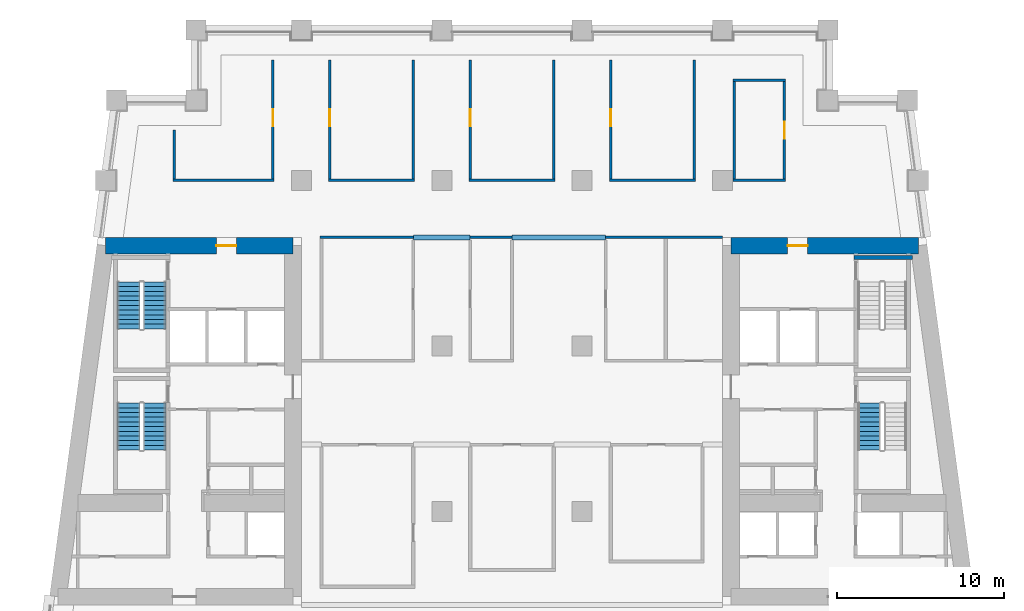
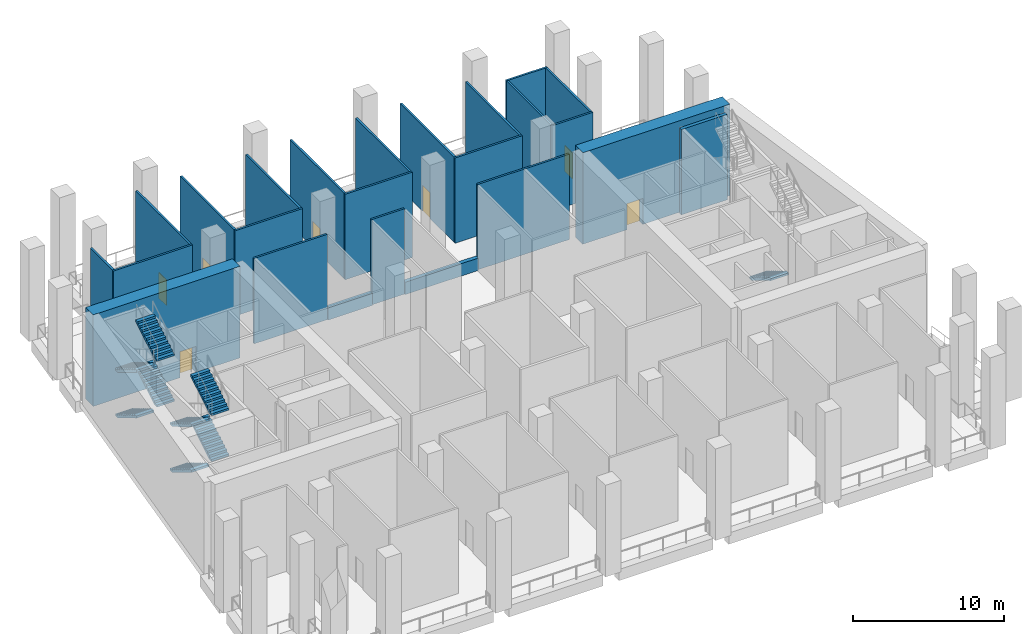
# One storey, part 5 of 10: 24 walls, 9 stair flights, 7 doors, 7 openings, 3 elements without a shape of their own.
"""IFC4 building model written with IfcOpenShell, lengths in metres."""

from ifc_helpers import new_model, si_unit, direction, frame, frame_2d, origin, place, context, subcontext, project, spatial, polyline, rectangle, outline, extrude, material, layer, layer_set, type_object, element, fill, aggregate, save


model = new_model("IFC4")

# Units and contexts
model_context = context("Model", 3, precision=1e-05, world=origin(), true_north=direction((0.0, 1.0)))
body_context = subcontext(model_context, "Body", "Model", "MODEL_VIEW")
ifc_project = project(units=[si_unit("LENGTHUNIT", "METRE"), si_unit("AREAUNIT", "SQUARE_METRE"), si_unit("VOLUMEUNIT", "CUBIC_METRE"), si_unit("PLANEANGLEUNIT", "RADIAN"), si_unit("MASSUNIT", "GRAM", prefix="KILO")], contexts=[model_context])

# Site, building, storey
site_placement = place(None, origin())
site = spatial("IfcSite", under=ifc_project, at=site_placement, CompositionType="ELEMENT")
building_placement = place(site_placement, origin())
building = spatial("IfcBuilding", under=site, at=building_placement, Name="Candeia Pilgrim Tower and Theatre", CompositionType="ELEMENT")
storey_placement = place(building_placement, frame((0.0, 0.0, 135.39990234375)))
storey = spatial("IfcBuildingStorey", under=building, at=storey_placement, Name="L32", CompositionType="ELEMENT", Elevation=135.39990234375)

# Wall, opening, door
ifc_material_1 = material(Name="Concrete C70/85", Category="concrete")
ifc_layer_1 = layer(ifc_material_1, 1.0)
ifc_layer_set_1 = layer_set([ifc_layer_1], Name="Core wall 1000 C70/85")
wall_type_1 = type_object("IfcWallType", Name="Core wall 1000 C70/85", PredefinedType="SHEAR", material=ifc_layer_set_1)
wall_1_placement = place(storey_placement, frame((89.06787109375, 131.89990234375, 0.0), z_axis=(0.0, 0.0, 1.0), x_axis=(1.0, 0.0, 0.0)))
wall_1 = element("IfcWall", 1, at=wall_1_placement, inside=storey, type_object=wall_type_1, Name="Core wall W1", PredefinedType="SHEAR", context=body_context, shape_type="SweptSolid", body=[
    extrude(rectangle(XDim=11.232177734375, YDim=1.0, at=frame_2d((5.6162109375, 0.0))), origin(), (0.0, 0.0, 1.0), 7.400146484375),
])
opening_1_placement = place(wall_1_placement, frame((6.6455078125, 0.0, 0.0)))
opening_1 = element("IfcOpeningElement", 2, at=opening_1_placement, cuts=wall_1, Name="Opening L32-D035", PredefinedType="OPENING", context=body_context, shape_type="SweptSolid", body=[
    extrude(rectangle(XDim=1.199951171875, YDim=2.10009765625, at=frame_2d((0.60009765625, 1.050048828125))), frame((0.0, 0.510009765625, 0.0), z_axis=(0.0, -1.0, 0.0), x_axis=(1.0, 0.0, 0.0)), (0.0, 0.0, 1.0), 1.02001953125),
])
ifc_material_2 = material(Name="Steel fire door set", Category="steel")
door_type_1 = type_object("IfcDoorType", Name="D-1200-FD60", OperationType="NOTDEFINED", PredefinedType="DOOR", material=ifc_material_2)
door_1_placement = place(opening_1_placement, origin())
door_1 = element("IfcDoor", 3, at=door_1_placement, inside=storey, type_object=door_type_1, Name="Door L32-D035", OperationType="SINGLE_SWING_LEFT", OverallHeight=2.10009765625, OverallWidth=1.199951171875, PredefinedType="DOOR", context=body_context, shape_type="SweptSolid", body=[
    extrude(rectangle(XDim=1.199951171875, YDim=2.10009765625, at=frame_2d((0.60009765625, 1.050048828125))), frame((0.0, 0.02490234375, 0.0), z_axis=(0.0, -1.0, 0.0), x_axis=(1.0, 0.0, 0.0)), (0.0, 0.0, 1.0), 0.050048828125),
])
fill(opening_1, door_1)

wall_2_placement = place(storey_placement, frame((126.5, 131.89990234375, 0.0), z_axis=(0.0, 0.0, 1.0), x_axis=(1.0, 0.0, 0.0)))
wall_2 = element("IfcWall", 4, at=wall_2_placement, inside=storey, type_object=wall_type_1, Name="Core wall E1", PredefinedType="SHEAR", context=body_context, shape_type="SweptSolid", body=[
    extrude(rectangle(XDim=11.23193359375, YDim=1.0, at=frame_2d((5.615966796875, 0.0))), origin(), (0.0, 0.0, 1.0), 7.400146484375),
])
opening_2_placement = place(wall_2_placement, frame((3.386474609375, 0.0, 0.0)))
opening_2 = element("IfcOpeningElement", 5, at=opening_2_placement, cuts=wall_2, Name="Opening L32-D038", PredefinedType="OPENING", context=body_context, shape_type="SweptSolid", body=[
    extrude(rectangle(XDim=1.199951171875, YDim=2.10009765625, at=frame_2d((0.60009765625, 1.050048828125))), frame((0.0, 0.510009765625, 0.0), z_axis=(0.0, -1.0, 0.0), x_axis=(1.0, 0.0, 0.0)), (0.0, 0.0, 1.0), 1.02001953125),
])
door_2_placement = place(opening_2_placement, origin())
door_2 = element("IfcDoor", 6, at=door_2_placement, inside=storey, type_object=door_type_1, Name="Door L32-D038", OperationType="SINGLE_SWING_RIGHT", OverallHeight=2.10009765625, OverallWidth=1.199951171875, PredefinedType="DOOR", context=body_context, shape_type="SweptSolid", body=[
    extrude(rectangle(XDim=1.199951171875, YDim=2.10009765625, at=frame_2d((0.60009765625, 1.050048828125))), frame((0.0, 0.02490234375, 0.0), z_axis=(0.0, -1.0, 0.0), x_axis=(1.0, 0.0, 0.0)), (0.0, 0.0, 1.0), 0.050048828125),
])
fill(opening_2, door_2)

# Walls
ifc_material_3 = material(Name="Concrete C30/37", Category="concrete")
ifc_layer_2 = layer(ifc_material_3, 0.300048828125)
ifc_layer_set_2 = layer_set([ifc_layer_2], Name="PL-300 planter kerb")
wall_type_2 = type_object("IfcWallType", Name="PL-300 planter kerb", PredefinedType="PARTITIONING", material=ifc_layer_set_2)
wall_3_placement = place(storey_placement, frame((107.5, 132.39990234375, 0.0), z_axis=(0.0, 0.0, 1.0), x_axis=(1.0, 0.0, 0.0)))
element("IfcWall", 7, at=wall_3_placement, inside=storey, type_object=wall_type_2, Name="Planter kerb L32-057", PredefinedType="PARTITIONING", context=body_context, shape_type="SweptSolid", body=[
    extrude(rectangle(XDim=3.39990234375, YDim=0.300048828125, at=frame_2d((1.699951171875, 0.0))), origin(), (0.0, 0.0, 1.0), 1.0),
])
wall_4_placement = place(storey_placement, frame((113.39990234375, 132.39990234375, 0.0), z_axis=(0.0, 0.0, 1.0), x_axis=(1.0, 0.0, 0.0)))
element("IfcWall", 8, at=wall_4_placement, inside=storey, type_object=wall_type_2, Name="Planter kerb L32-058", PredefinedType="PARTITIONING", context=body_context, shape_type="SweptSolid", body=[
    extrude(rectangle(XDim=5.60009765625, YDim=0.300048828125, at=frame_2d((2.800048828125, 0.0))), origin(), (0.0, 0.0, 1.0), 1.0),
])
ifc_material_4 = material(Name="Gypsum board partition on steel studs", Category="steel")
ifc_layer_3 = layer(ifc_material_4, 0.14990234375)
ifc_layer_set_3 = layer_set([ifc_layer_3], Name="PW-150 unit wall")
wall_type_3 = type_object("IfcWallType", Name="PW-150 unit wall", PredefinedType="PARTITIONING", material=ifc_layer_set_3)
wall_5_placement = place(storey_placement, frame((101.89990234375, 132.39990234375, 0.0), z_axis=(0.0, 0.0, 1.0), x_axis=(1.0, 0.0, 0.0)))
element("IfcWall", 9, at=wall_5_placement, inside=storey, type_object=wall_type_3, Name="Unit wall L32-059", PredefinedType="PARTITIONING", context=body_context, shape_type="SweptSolid", body=[
    extrude(rectangle(XDim=5.60009765625, YDim=0.14990234375, at=frame_2d((2.800048828125, 0.0))), origin(), (0.0, 0.0, 1.0), 6.900146484375),
])
wall_6_placement = place(storey_placement, frame((110.89990234375, 132.39990234375, 0.0), z_axis=(0.0, 0.0, 1.0), x_axis=(1.0, 0.0, 0.0)))
element("IfcWall", 10, at=wall_6_placement, inside=storey, type_object=wall_type_3, Name="Unit wall L32-060", PredefinedType="PARTITIONING", context=body_context, shape_type="SweptSolid", body=[
    extrude(rectangle(XDim=2.5, YDim=0.14990234375, at=frame_2d((1.25, 0.0))), origin(), (0.0, 0.0, 1.0), 6.900146484375),
])
wall_7_placement = place(storey_placement, frame((119.0, 132.39990234375, 0.0), z_axis=(0.0, 0.0, 1.0), x_axis=(1.0, 0.0, 0.0)))
element("IfcWall", 11, at=wall_7_placement, inside=storey, type_object=wall_type_3, Name="Unit wall L32-061", PredefinedType="PARTITIONING", context=body_context, shape_type="SweptSolid", body=[
    extrude(rectangle(XDim=7.0, YDim=0.14990234375, at=frame_2d((3.5, 0.0))), origin(), (0.0, 0.0, 1.0), 6.900146484375),
])
wall_8_placement = place(storey_placement, frame((93.125, 135.800048828125, 0.0), z_axis=(0.0, 0.0, 1.0), x_axis=(1.0, 0.0, 0.0)))
element("IfcWall", 12, at=wall_8_placement, inside=storey, type_object=wall_type_3, Name="Unit wall L32-062", PredefinedType="PARTITIONING", context=body_context, shape_type="SweptSolid", body=[
    extrude(rectangle(XDim=6.050048828125, YDim=0.14990234375, at=frame_2d((3.02490234375, 0.0))), origin(), (0.0, 0.0, 1.0), 6.900146484375),
])
wall_9_placement = place(storey_placement, frame((102.425048828125, 135.800048828125, 0.0), z_axis=(0.0, 0.0, 1.0), x_axis=(1.0, 0.0, 0.0)))
element("IfcWall", 13, at=wall_9_placement, inside=storey, type_object=wall_type_3, Name="Unit wall L32-063", PredefinedType="PARTITIONING", context=body_context, shape_type="SweptSolid", body=[
    extrude(rectangle(XDim=5.14990234375, YDim=0.14990234375, at=frame_2d((2.574951171875, 0.0))), origin(), (0.0, 0.0, 1.0), 6.900146484375),
])
wall_10_placement = place(storey_placement, frame((110.824951171875, 135.800048828125, 0.0), z_axis=(0.0, 0.0, 1.0), x_axis=(1.0, 0.0, 0.0)))
element("IfcWall", 14, at=wall_10_placement, inside=storey, type_object=wall_type_3, Name="Unit wall L32-064", PredefinedType="PARTITIONING", context=body_context, shape_type="SweptSolid", body=[
    extrude(rectangle(XDim=5.150146484375, YDim=0.14990234375, at=frame_2d((2.5751953125, 0.0))), origin(), (0.0, 0.0, 1.0), 6.900146484375),
])
wall_11_placement = place(storey_placement, frame((119.22509765625, 135.800048828125, 0.0), z_axis=(0.0, 0.0, 1.0), x_axis=(1.0, 0.0, 0.0)))
element("IfcWall", 15, at=wall_11_placement, inside=storey, type_object=wall_type_3, Name="Unit wall L32-065", PredefinedType="PARTITIONING", context=body_context, shape_type="SweptSolid", body=[
    extrude(rectangle(XDim=5.14990234375, YDim=0.14990234375, at=frame_2d((2.574951171875, 0.0))), origin(), (0.0, 0.0, 1.0), 6.900146484375),
])
for number, where, z_axis, x_axis, name in (
    (16, (126.625, 135.800048828125, 0.0), (0.0, 0.0, 1.0), (1.0, 0.0, 0.0), "Unit wall L32-066"),
    (17, (126.625, 141.800048828125, 0.0), (0.0, 0.0, 1.0), (1.0, 0.0, 0.0), "Unit wall L32-067"),
):
    element("IfcWall", number, at=place(storey_placement, frame(where, z_axis=z_axis, x_axis=x_axis)), inside=storey, type_object=wall_type_3, Name=name, PredefinedType="PARTITIONING", context=body_context, shape_type="SweptSolid", body=[
        extrude(rectangle(XDim=3.14990234375, YDim=0.14990234375, at=frame_2d((1.574951171875, 0.0))), origin(), (0.0, 0.0, 1.0), 6.900146484375),
    ])
wall_12_placement = place(storey_placement, frame((93.199951171875, 135.875, 0.0), z_axis=(0.0, 0.0, 1.0), x_axis=(0.0, 1.0, 0.0)))
element("IfcWall", 18, at=wall_12_placement, inside=storey, type_object=wall_type_3, Name="Unit wall L32-078", PredefinedType="PARTITIONING", context=body_context, shape_type="SweptSolid", body=[
    extrude(rectangle(XDim=2.93505859375, YDim=0.14990234375, at=frame_2d((1.467529296875, 0.0))), origin(), (0.0, 0.0, 1.0), 6.900146484375),
])

# Wall, opening, door
wall_13_placement = place(storey_placement, frame((99.10009765625, 135.875, 0.0), z_axis=(0.0, 0.0, 1.0), x_axis=(0.0, 1.0, 0.0)))
wall_13 = element("IfcWall", 19, at=wall_13_placement, inside=storey, type_object=wall_type_3, Name="Unit wall L32-087", PredefinedType="PARTITIONING", context=body_context, shape_type="SweptSolid", body=[
    extrude(rectangle(XDim=7.135009765625, YDim=0.14990234375, at=frame_2d((3.5673828125, 0.0))), origin(), (0.0, 0.0, 1.0), 6.900146484375),
])
opening_3_placement = place(wall_13_placement, frame((3.175048828125, 0.0, 0.0)))
opening_3 = element("IfcOpeningElement", 20, at=opening_3_placement, cuts=wall_13, Name="Opening L32-D015", PredefinedType="OPENING", context=body_context, shape_type="SweptSolid", body=[
    extrude(rectangle(XDim=1.0, YDim=2.10009765625, at=frame_2d((0.5, 1.050048828125))), frame((0.0, 0.0849609375, 0.0), z_axis=(0.0, -1.0, 0.0), x_axis=(1.0, 0.0, 0.0)), (0.0, 0.0, 1.0), 0.169921875),
])
ifc_material_5 = material(Name="Timber door leaf", Category="wood")
door_type_2 = type_object("IfcDoorType", Name="D-1000", OperationType="NOTDEFINED", PredefinedType="DOOR", material=ifc_material_5)
door_3_placement = place(opening_3_placement, origin())
door_3 = element("IfcDoor", 21, at=door_3_placement, inside=storey, type_object=door_type_2, Name="Door L32-D015", OperationType="SINGLE_SWING_LEFT", OverallHeight=2.10009765625, OverallWidth=1.0, PredefinedType="DOOR", context=body_context, shape_type="SweptSolid", body=[
    extrude(rectangle(XDim=1.0, YDim=2.10009765625, at=frame_2d((0.5, 1.050048828125))), frame((0.0, 0.02490234375, 0.0), z_axis=(0.0, -1.0, 0.0), x_axis=(1.0, 0.0, 0.0)), (0.0, 0.0, 1.0), 0.050048828125),
])
fill(opening_3, door_3)

wall_14_placement = place(storey_placement, frame((102.5, 135.875, 0.0), z_axis=(0.0, 0.0, 1.0), x_axis=(0.0, 1.0, 0.0)))
wall_14 = element("IfcWall", 22, at=wall_14_placement, inside=storey, type_object=wall_type_3, Name="Unit wall L32-092", PredefinedType="PARTITIONING", context=body_context, shape_type="SweptSolid", body=[
    extrude(rectangle(XDim=7.135009765625, YDim=0.14990234375, at=frame_2d((3.5673828125, 0.0))), origin(), (0.0, 0.0, 1.0), 6.900146484375),
])
opening_4_placement = place(wall_14_placement, frame((3.175048828125, 0.0, 0.0)))
opening_4 = element("IfcOpeningElement", 23, at=opening_4_placement, cuts=wall_14, Name="Opening L32-D016", PredefinedType="OPENING", context=body_context, shape_type="SweptSolid", body=[
    extrude(rectangle(XDim=1.0, YDim=2.10009765625, at=frame_2d((0.5, 1.050048828125))), frame((0.0, 0.0849609375, 0.0), z_axis=(0.0, -1.0, 0.0), x_axis=(1.0, 0.0, 0.0)), (0.0, 0.0, 1.0), 0.169921875),
])
door_4_placement = place(opening_4_placement, origin())
door_4 = element("IfcDoor", 24, at=door_4_placement, inside=storey, type_object=door_type_2, Name="Door L32-D016", OperationType="SINGLE_SWING_RIGHT", OverallHeight=2.10009765625, OverallWidth=1.0, PredefinedType="DOOR", context=body_context, shape_type="SweptSolid", body=[
    extrude(rectangle(XDim=1.0, YDim=2.10009765625, at=frame_2d((0.5, 1.050048828125))), frame((0.0, 0.02490234375, 0.0), z_axis=(0.0, -1.0, 0.0), x_axis=(1.0, 0.0, 0.0)), (0.0, 0.0, 1.0), 0.050048828125),
])
fill(opening_4, door_4)

# Wall
wall_15_placement = place(storey_placement, frame((107.5, 135.875, 0.0), z_axis=(0.0, 0.0, 1.0), x_axis=(0.0, 1.0, 0.0)))
element("IfcWall", 25, at=wall_15_placement, inside=storey, type_object=wall_type_3, Name="Unit wall L32-095", PredefinedType="PARTITIONING", context=body_context, shape_type="SweptSolid", body=[
    extrude(rectangle(XDim=7.135009765625, YDim=0.14990234375, at=frame_2d((3.5673828125, 0.0))), origin(), (0.0, 0.0, 1.0), 6.900146484375),
])

# Wall, opening, door
wall_16_placement = place(storey_placement, frame((110.89990234375, 135.875, 0.0), z_axis=(0.0, 0.0, 1.0), x_axis=(0.0, 1.0, 0.0)))
wall_16 = element("IfcWall", 26, at=wall_16_placement, inside=storey, type_object=wall_type_3, Name="Unit wall L32-100", PredefinedType="PARTITIONING", context=body_context, shape_type="SweptSolid", body=[
    extrude(rectangle(XDim=7.135009765625, YDim=0.14990234375, at=frame_2d((3.5673828125, 0.0))), origin(), (0.0, 0.0, 1.0), 6.900146484375),
])
opening_5_placement = place(wall_16_placement, frame((3.175048828125, 0.0, 0.0)))
opening_5 = element("IfcOpeningElement", 27, at=opening_5_placement, cuts=wall_16, Name="Opening L32-D017", PredefinedType="OPENING", context=body_context, shape_type="SweptSolid", body=[
    extrude(rectangle(XDim=1.0, YDim=2.10009765625, at=frame_2d((0.5, 1.050048828125))), frame((0.0, 0.0849609375, 0.0), z_axis=(0.0, -1.0, 0.0), x_axis=(1.0, 0.0, 0.0)), (0.0, 0.0, 1.0), 0.169921875),
])
door_5_placement = place(opening_5_placement, origin())
door_5 = element("IfcDoor", 28, at=door_5_placement, inside=storey, type_object=door_type_2, Name="Door L32-D017", OperationType="SINGLE_SWING_LEFT", OverallHeight=2.10009765625, OverallWidth=1.0, PredefinedType="DOOR", context=body_context, shape_type="SweptSolid", body=[
    extrude(rectangle(XDim=1.0, YDim=2.10009765625, at=frame_2d((0.5, 1.050048828125))), frame((0.0, 0.02490234375, 0.0), z_axis=(0.0, -1.0, 0.0), x_axis=(1.0, 0.0, 0.0)), (0.0, 0.0, 1.0), 0.050048828125),
])
fill(opening_5, door_5)

# Wall
wall_17_placement = place(storey_placement, frame((115.89990234375, 135.875, 0.0), z_axis=(0.0, 0.0, 1.0), x_axis=(0.0, 1.0, 0.0)))
element("IfcWall", 29, at=wall_17_placement, inside=storey, type_object=wall_type_3, Name="Unit wall L32-103", PredefinedType="PARTITIONING", context=body_context, shape_type="SweptSolid", body=[
    extrude(rectangle(XDim=7.135009765625, YDim=0.14990234375, at=frame_2d((3.5673828125, 0.0))), origin(), (0.0, 0.0, 1.0), 6.900146484375),
])

# Wall, opening, door
wall_18_placement = place(storey_placement, frame((119.300048828125, 135.875, 0.0), z_axis=(0.0, 0.0, 1.0), x_axis=(0.0, 1.0, 0.0)))
wall_18 = element("IfcWall", 30, at=wall_18_placement, inside=storey, type_object=wall_type_3, Name="Unit wall L32-108", PredefinedType="PARTITIONING", context=body_context, shape_type="SweptSolid", body=[
    extrude(rectangle(XDim=7.135009765625, YDim=0.14990234375, at=frame_2d((3.5673828125, 0.0))), origin(), (0.0, 0.0, 1.0), 6.900146484375),
])
opening_6_placement = place(wall_18_placement, frame((3.175048828125, 0.0, 0.0)))
opening_6 = element("IfcOpeningElement", 31, at=opening_6_placement, cuts=wall_18, Name="Opening L32-D019", PredefinedType="OPENING", context=body_context, shape_type="SweptSolid", body=[
    extrude(rectangle(XDim=1.0, YDim=2.10009765625, at=frame_2d((0.5, 1.050048828125))), frame((0.0, 0.0849609375, 0.0), z_axis=(0.0, -1.0, 0.0), x_axis=(1.0, 0.0, 0.0)), (0.0, 0.0, 1.0), 0.169921875),
])
door_6_placement = place(opening_6_placement, origin())
door_6 = element("IfcDoor", 32, at=door_6_placement, inside=storey, type_object=door_type_2, Name="Door L32-D019", OperationType="SINGLE_SWING_LEFT", OverallHeight=2.10009765625, OverallWidth=1.0, PredefinedType="DOOR", context=body_context, shape_type="SweptSolid", body=[
    extrude(rectangle(XDim=1.0, YDim=2.10009765625, at=frame_2d((0.5, 1.050048828125))), frame((0.0, 0.02490234375, 0.0), z_axis=(0.0, -1.0, 0.0), x_axis=(1.0, 0.0, 0.0)), (0.0, 0.0, 1.0), 0.050048828125),
])
fill(opening_6, door_6)

# Walls
wall_19_placement = place(storey_placement, frame((124.300048828125, 135.875, 0.0), z_axis=(0.0, 0.0, 1.0), x_axis=(0.0, 1.0, 0.0)))
element("IfcWall", 33, at=wall_19_placement, inside=storey, type_object=wall_type_3, Name="Unit wall L32-110", PredefinedType="PARTITIONING", context=body_context, shape_type="SweptSolid", body=[
    extrude(rectangle(XDim=7.135009765625, YDim=0.14990234375, at=frame_2d((3.5673828125, 0.0))), origin(), (0.0, 0.0, 1.0), 6.900146484375),
])
wall_20_placement = place(storey_placement, frame((126.699951171875, 135.875, 0.0), z_axis=(0.0, 0.0, 1.0), x_axis=(0.0, 1.0, 0.0)))
element("IfcWall", 34, at=wall_20_placement, inside=storey, type_object=wall_type_3, Name="Unit wall L32-113", PredefinedType="PARTITIONING", context=body_context, shape_type="SweptSolid", body=[
    extrude(rectangle(XDim=5.85009765625, YDim=0.14990234375, at=frame_2d((2.925048828125, 0.0))), origin(), (0.0, 0.0, 1.0), 6.900146484375),
])

# Wall, opening, door
wall_21_placement = place(storey_placement, frame((129.699951171875, 135.875, 0.0), z_axis=(0.0, 0.0, 1.0), x_axis=(0.0, 1.0, 0.0)))
wall_21 = element("IfcWall", 35, at=wall_21_placement, inside=storey, type_object=wall_type_3, Name="Unit wall L32-118", PredefinedType="PARTITIONING", context=body_context, shape_type="SweptSolid", body=[
    extrude(rectangle(XDim=5.85009765625, YDim=0.14990234375, at=frame_2d((2.925048828125, 0.0))), origin(), (0.0, 0.0, 1.0), 6.900146484375),
])
opening_7_placement = place(wall_21_placement, frame((2.425048828125, 0.0, 0.0)))
opening_7 = element("IfcOpeningElement", 36, at=opening_7_placement, cuts=wall_21, Name="Opening L32-D018", PredefinedType="OPENING", context=body_context, shape_type="SweptSolid", body=[
    extrude(rectangle(XDim=1.0, YDim=2.10009765625, at=frame_2d((0.5, 1.050048828125))), frame((0.0, 0.0849609375, 0.0), z_axis=(0.0, -1.0, 0.0), x_axis=(1.0, 0.0, 0.0)), (0.0, 0.0, 1.0), 0.169921875),
])
door_7_placement = place(opening_7_placement, origin())
door_7 = element("IfcDoor", 37, at=door_7_placement, inside=storey, type_object=door_type_2, Name="Door L32-D018", OperationType="SINGLE_SWING_RIGHT", OverallHeight=2.10009765625, OverallWidth=1.0, PredefinedType="DOOR", context=body_context, shape_type="SweptSolid", body=[
    extrude(rectangle(XDim=1.0, YDim=2.10009765625, at=frame_2d((0.5, 1.050048828125))), frame((0.0, 0.02490234375, 0.0), z_axis=(0.0, -1.0, 0.0), x_axis=(1.0, 0.0, 0.0)), (0.0, 0.0, 1.0), 0.050048828125),
])
fill(opening_7, door_7)

# Wall
ifc_material_6 = material(Name="Concrete C40/50", Category="concrete")
ifc_layer_4 = layer(ifc_material_6, 0.25)
ifc_layer_set_4 = layer_set([ifc_layer_4], Name="SW-250 stair wall")
wall_type_4 = type_object("IfcWallType", Name="SW-250 stair wall", PredefinedType="PARTITIONING", material=ifc_layer_set_4)
wall_22_placement = place(storey_placement, frame((133.847900390625, 131.199951171875, 0.0), z_axis=(0.0, 0.0, 1.0), x_axis=(1.0, 0.0, 0.0)))
element("IfcWall", 38, at=wall_22_placement, inside=storey, type_object=wall_type_4, Name="Stair wall L32-056", PredefinedType="PARTITIONING", context=body_context, shape_type="SweptSolid", body=[
    extrude(rectangle(XDim=3.50390625, YDim=0.25, at=frame_2d((1.751953125, 0.0))), origin(), (0.0, 0.0, 1.0), 6.900146484375),
])

# Stair, stair flights
stair_type = type_object("IfcStairType", Name="ST-TWR dog-leg escape stair", PredefinedType="HALF_TURN_STAIR", material=ifc_material_6)
stair_1_placement = place(storey_placement, origin())
stair_1 = element("IfcStair", 39, at=stair_1_placement, inside=storey, type_object=stair_type, Name="L32 Escape stair ST1", PredefinedType="HALF_TURN_STAIR")
stair_flight_type = type_object("IfcStairFlightType", Name="SFL-RC stair flight", PredefinedType="STRAIGHT", material=ifc_material_6)
stair_flight_1_placement = place(storey_placement, frame((90.47705078125, 122.47509765625, 0.0), z_axis=(0.0, 0.0, 1.0), x_axis=(0.0, -1.0, 0.0)))
stair_flight_1 = element("IfcStairFlight", 40, at=stair_flight_1_placement, type_object=stair_flight_type, Name="ST1 flight 1", NumberOfRisers=11, NumberOfTreads=10, PredefinedType="STRAIGHT", RiserHeight=0.168181818, TreadLength=0.28, context=body_context, shape_type="SweptSolid", body=[
    extrude(outline(polyline([(0.0, 0.0), (0.0, 0.168212890625), (0.280029296875, 0.168212890625), (0.280029296875, 0.33642578125), (0.56005859375, 0.33642578125), (0.56005859375, 0.504638671875), (0.840087890625, 0.504638671875), (0.840087890625, 0.672607421875), (1.1201171875, 0.672607421875), (1.1201171875, 0.8408203125), (1.39990234375, 0.8408203125), (1.39990234375, 1.009033203125), (1.679931640625, 1.009033203125), (1.679931640625, 1.17724609375), (1.9599609375, 1.17724609375), (1.9599609375, 1.345458984375), (2.239990234375, 1.345458984375), (2.239990234375, 1.513671875), (2.52001953125, 1.513671875), (2.52001953125, 1.681884765625), (2.800048828125, 1.681884765625), (2.800048828125, 1.85009765625), (2.800048828125, 1.5068359375), (0.291015625, 0.0), (0.0, 0.0)])), frame((0.0, 0.675048828125, 0.0), z_axis=(0.0, -1.0, 0.0), x_axis=(1.0, 0.0, 0.0)), (0.0, 0.0, 1.0), 1.35009765625),
])
stair_flight_2_placement = place(storey_placement, frame((92.027099609375, 119.675048828125, 1.85009765625), z_axis=(0.0, 0.0, 1.0), x_axis=(0.0, 1.0, 0.0)))
stair_flight_2 = element("IfcStairFlight", 41, at=stair_flight_2_placement, type_object=stair_flight_type, Name="ST1 flight 2", NumberOfRisers=11, NumberOfTreads=10, PredefinedType="STRAIGHT", RiserHeight=0.168181818, TreadLength=0.28, context=body_context, shape_type="SweptSolid", body=[
    extrude(outline(polyline([(0.0, 0.0), (0.0, 0.168212890625), (0.280029296875, 0.168212890625), (0.280029296875, 0.33642578125), (0.56005859375, 0.33642578125), (0.56005859375, 0.504638671875), (0.840087890625, 0.504638671875), (0.840087890625, 0.672607421875), (1.1201171875, 0.672607421875), (1.1201171875, 0.8408203125), (1.39990234375, 0.8408203125), (1.39990234375, 1.009033203125), (1.679931640625, 1.009033203125), (1.679931640625, 1.17724609375), (1.9599609375, 1.17724609375), (1.9599609375, 1.345458984375), (2.239990234375, 1.345458984375), (2.239990234375, 1.513671875), (2.52001953125, 1.513671875), (2.52001953125, 1.681884765625), (2.800048828125, 1.681884765625), (2.800048828125, 1.85009765625), (2.800048828125, 1.5068359375), (0.291015625, 0.0), (0.0, 0.0)])), frame((0.0, 0.675048828125, 0.0), z_axis=(0.0, -1.0, 0.0), x_axis=(1.0, 0.0, 0.0)), (0.0, 0.0, 1.0), 1.35009765625),
])
stair_flight_3_placement = place(storey_placement, frame((90.47705078125, 122.47509765625, 3.7001953125), z_axis=(0.0, 0.0, 1.0), x_axis=(0.0, -1.0, 0.0)))
stair_flight_3 = element("IfcStairFlight", 42, at=stair_flight_3_placement, type_object=stair_flight_type, Name="ST1 flight 3", NumberOfRisers=11, NumberOfTreads=10, PredefinedType="STRAIGHT", RiserHeight=0.168181818, TreadLength=0.28, context=body_context, shape_type="SweptSolid", body=[
    extrude(outline(polyline([(0.0, 0.0), (0.0, 0.168212890625), (0.280029296875, 0.168212890625), (0.280029296875, 0.33642578125), (0.56005859375, 0.33642578125), (0.56005859375, 0.504638671875), (0.840087890625, 0.504638671875), (0.840087890625, 0.672607421875), (1.1201171875, 0.672607421875), (1.1201171875, 0.8408203125), (1.39990234375, 0.8408203125), (1.39990234375, 1.009033203125), (1.679931640625, 1.009033203125), (1.679931640625, 1.17724609375), (1.9599609375, 1.17724609375), (1.9599609375, 1.345458984375), (2.239990234375, 1.345458984375), (2.239990234375, 1.513671875), (2.52001953125, 1.513671875), (2.52001953125, 1.681884765625), (2.800048828125, 1.681884765625), (2.800048828125, 1.85009765625), (2.800048828125, 1.5068359375), (0.291015625, 0.0), (0.0, 0.0)])), frame((0.0, 0.675048828125, 0.0), z_axis=(0.0, -1.0, 0.0), x_axis=(1.0, 0.0, 0.0)), (0.0, 0.0, 1.0), 1.35009765625),
])
stair_flight_4_placement = place(storey_placement, frame((92.027099609375, 119.675048828125, 5.550048828125), z_axis=(0.0, 0.0, 1.0), x_axis=(0.0, 1.0, 0.0)))
stair_flight_4 = element("IfcStairFlight", 43, at=stair_flight_4_placement, type_object=stair_flight_type, Name="ST1 flight 4", NumberOfRisers=11, NumberOfTreads=10, PredefinedType="STRAIGHT", RiserHeight=0.168181818, TreadLength=0.28, context=body_context, shape_type="SweptSolid", body=[
    extrude(outline(polyline([(0.0, 0.0), (0.0, 0.168212890625), (0.280029296875, 0.168212890625), (0.280029296875, 0.33642578125), (0.56005859375, 0.33642578125), (0.56005859375, 0.504638671875), (0.840087890625, 0.504638671875), (0.840087890625, 0.672607421875), (1.1201171875, 0.672607421875), (1.1201171875, 0.8408203125), (1.39990234375, 0.8408203125), (1.39990234375, 1.009033203125), (1.679931640625, 1.009033203125), (1.679931640625, 1.17724609375), (1.9599609375, 1.17724609375), (1.9599609375, 1.345458984375), (2.239990234375, 1.345458984375), (2.239990234375, 1.513671875), (2.52001953125, 1.513671875), (2.52001953125, 1.681884765625), (2.800048828125, 1.681884765625), (2.800048828125, 1.85009765625), (2.800048828125, 1.5068359375), (0.291015625, 0.0), (0.0, 0.0)])), frame((0.0, 0.675048828125, 0.0), z_axis=(0.0, -1.0, 0.0), x_axis=(1.0, 0.0, 0.0)), (0.0, 0.0, 1.0), 1.35009765625),
])
aggregate(stair_1, [stair_flight_1, stair_flight_2, stair_flight_3, stair_flight_4])

stair_2_placement = place(storey_placement, origin())
stair_2 = element("IfcStair", 44, at=stair_2_placement, inside=storey, type_object=stair_type, Name="L32 Escape stair ST2", PredefinedType="HALF_TURN_STAIR")
stair_flight_5_placement = place(storey_placement, frame((90.47705078125, 129.72509765625, 0.0), z_axis=(0.0, 0.0, 1.0), x_axis=(0.0, -1.0, 0.0)))
stair_flight_5 = element("IfcStairFlight", 45, at=stair_flight_5_placement, type_object=stair_flight_type, Name="ST2 flight 1", NumberOfRisers=11, NumberOfTreads=10, PredefinedType="STRAIGHT", RiserHeight=0.168181818, TreadLength=0.28, context=body_context, shape_type="SweptSolid", body=[
    extrude(outline(polyline([(0.0, 0.0), (0.0, 0.168212890625), (0.280029296875, 0.168212890625), (0.280029296875, 0.33642578125), (0.56005859375, 0.33642578125), (0.56005859375, 0.504638671875), (0.840087890625, 0.504638671875), (0.840087890625, 0.672607421875), (1.1201171875, 0.672607421875), (1.1201171875, 0.8408203125), (1.39990234375, 0.8408203125), (1.39990234375, 1.009033203125), (1.679931640625, 1.009033203125), (1.679931640625, 1.17724609375), (1.9599609375, 1.17724609375), (1.9599609375, 1.345458984375), (2.239990234375, 1.345458984375), (2.239990234375, 1.513671875), (2.52001953125, 1.513671875), (2.52001953125, 1.681884765625), (2.800048828125, 1.681884765625), (2.800048828125, 1.85009765625), (2.800048828125, 1.5068359375), (0.291015625, 0.0), (0.0, 0.0)])), frame((0.0, 0.675048828125, 0.0), z_axis=(0.0, -1.0, 0.0), x_axis=(1.0, 0.0, 0.0)), (0.0, 0.0, 1.0), 1.35009765625),
])
stair_flight_6_placement = place(storey_placement, frame((92.027099609375, 126.925048828125, 1.85009765625), z_axis=(0.0, 0.0, 1.0), x_axis=(0.0, 1.0, 0.0)))
stair_flight_6 = element("IfcStairFlight", 46, at=stair_flight_6_placement, type_object=stair_flight_type, Name="ST2 flight 2", NumberOfRisers=11, NumberOfTreads=10, PredefinedType="STRAIGHT", RiserHeight=0.168181818, TreadLength=0.28, context=body_context, shape_type="SweptSolid", body=[
    extrude(outline(polyline([(0.0, 0.0), (0.0, 0.168212890625), (0.280029296875, 0.168212890625), (0.280029296875, 0.33642578125), (0.56005859375, 0.33642578125), (0.56005859375, 0.504638671875), (0.840087890625, 0.504638671875), (0.840087890625, 0.672607421875), (1.1201171875, 0.672607421875), (1.1201171875, 0.8408203125), (1.39990234375, 0.8408203125), (1.39990234375, 1.009033203125), (1.679931640625, 1.009033203125), (1.679931640625, 1.17724609375), (1.9599609375, 1.17724609375), (1.9599609375, 1.345458984375), (2.239990234375, 1.345458984375), (2.239990234375, 1.513671875), (2.52001953125, 1.513671875), (2.52001953125, 1.681884765625), (2.800048828125, 1.681884765625), (2.800048828125, 1.85009765625), (2.800048828125, 1.5068359375), (0.291015625, 0.0), (0.0, 0.0)])), frame((0.0, 0.675048828125, 0.0), z_axis=(0.0, -1.0, 0.0), x_axis=(1.0, 0.0, 0.0)), (0.0, 0.0, 1.0), 1.35009765625),
])
stair_flight_7_placement = place(storey_placement, frame((90.47705078125, 129.72509765625, 3.7001953125), z_axis=(0.0, 0.0, 1.0), x_axis=(0.0, -1.0, 0.0)))
stair_flight_7 = element("IfcStairFlight", 47, at=stair_flight_7_placement, type_object=stair_flight_type, Name="ST2 flight 3", NumberOfRisers=11, NumberOfTreads=10, PredefinedType="STRAIGHT", RiserHeight=0.168181818, TreadLength=0.28, context=body_context, shape_type="SweptSolid", body=[
    extrude(outline(polyline([(0.0, 0.0), (0.0, 0.168212890625), (0.280029296875, 0.168212890625), (0.280029296875, 0.33642578125), (0.56005859375, 0.33642578125), (0.56005859375, 0.504638671875), (0.840087890625, 0.504638671875), (0.840087890625, 0.672607421875), (1.1201171875, 0.672607421875), (1.1201171875, 0.8408203125), (1.39990234375, 0.8408203125), (1.39990234375, 1.009033203125), (1.679931640625, 1.009033203125), (1.679931640625, 1.17724609375), (1.9599609375, 1.17724609375), (1.9599609375, 1.345458984375), (2.239990234375, 1.345458984375), (2.239990234375, 1.513671875), (2.52001953125, 1.513671875), (2.52001953125, 1.681884765625), (2.800048828125, 1.681884765625), (2.800048828125, 1.85009765625), (2.800048828125, 1.5068359375), (0.291015625, 0.0), (0.0, 0.0)])), frame((0.0, 0.675048828125, 0.0), z_axis=(0.0, -1.0, 0.0), x_axis=(1.0, 0.0, 0.0)), (0.0, 0.0, 1.0), 1.35009765625),
])
stair_flight_8_placement = place(storey_placement, frame((92.027099609375, 126.925048828125, 5.550048828125), z_axis=(0.0, 0.0, 1.0), x_axis=(0.0, 1.0, 0.0)))
stair_flight_8 = element("IfcStairFlight", 48, at=stair_flight_8_placement, type_object=stair_flight_type, Name="ST2 flight 4", NumberOfRisers=11, NumberOfTreads=10, PredefinedType="STRAIGHT", RiserHeight=0.168181818, TreadLength=0.28, context=body_context, shape_type="SweptSolid", body=[
    extrude(outline(polyline([(0.0, 0.0), (0.0, 0.168212890625), (0.280029296875, 0.168212890625), (0.280029296875, 0.33642578125), (0.56005859375, 0.33642578125), (0.56005859375, 0.504638671875), (0.840087890625, 0.504638671875), (0.840087890625, 0.672607421875), (1.1201171875, 0.672607421875), (1.1201171875, 0.8408203125), (1.39990234375, 0.8408203125), (1.39990234375, 1.009033203125), (1.679931640625, 1.009033203125), (1.679931640625, 1.17724609375), (1.9599609375, 1.17724609375), (1.9599609375, 1.345458984375), (2.239990234375, 1.345458984375), (2.239990234375, 1.513671875), (2.52001953125, 1.513671875), (2.52001953125, 1.681884765625), (2.800048828125, 1.681884765625), (2.800048828125, 1.85009765625), (2.800048828125, 1.5068359375), (0.291015625, 0.0), (0.0, 0.0)])), frame((0.0, 0.675048828125, 0.0), z_axis=(0.0, -1.0, 0.0), x_axis=(1.0, 0.0, 0.0)), (0.0, 0.0, 1.0), 1.35009765625),
])
aggregate(stair_2, [stair_flight_5, stair_flight_6, stair_flight_7, stair_flight_8])

# Stair, stair flight
stair_3_placement = place(storey_placement, origin())
stair_3 = element("IfcStair", 49, at=stair_3_placement, inside=storey, type_object=stair_type, Name="L32 Escape stair ST3", PredefinedType="HALF_TURN_STAIR")
stair_flight_9_placement = place(storey_placement, frame((134.77294921875, 122.47509765625, 0.0), z_axis=(0.0, 0.0, 1.0), x_axis=(0.0, -1.0, 0.0)))
stair_flight_9 = element("IfcStairFlight", 50, at=stair_flight_9_placement, type_object=stair_flight_type, Name="ST3 flight 1", NumberOfRisers=11, NumberOfTreads=10, PredefinedType="STRAIGHT", RiserHeight=0.168181818, TreadLength=0.28, context=body_context, shape_type="SweptSolid", body=[
    extrude(outline(polyline([(0.0, 0.0), (0.0, 0.168212890625), (0.280029296875, 0.168212890625), (0.280029296875, 0.33642578125), (0.56005859375, 0.33642578125), (0.56005859375, 0.504638671875), (0.840087890625, 0.504638671875), (0.840087890625, 0.672607421875), (1.1201171875, 0.672607421875), (1.1201171875, 0.8408203125), (1.39990234375, 0.8408203125), (1.39990234375, 1.009033203125), (1.679931640625, 1.009033203125), (1.679931640625, 1.17724609375), (1.9599609375, 1.17724609375), (1.9599609375, 1.345458984375), (2.239990234375, 1.345458984375), (2.239990234375, 1.513671875), (2.52001953125, 1.513671875), (2.52001953125, 1.681884765625), (2.800048828125, 1.681884765625), (2.800048828125, 1.85009765625), (2.800048828125, 1.5068359375), (0.291015625, 0.0), (0.0, 0.0)])), frame((0.0, 0.675048828125, 0.0), z_axis=(0.0, -1.0, 0.0), x_axis=(1.0, 0.0, 0.0)), (0.0, 0.0, 1.0), 1.35009765625),
])
aggregate(stair_3, [stair_flight_9])

save(model, "model.ifc")
